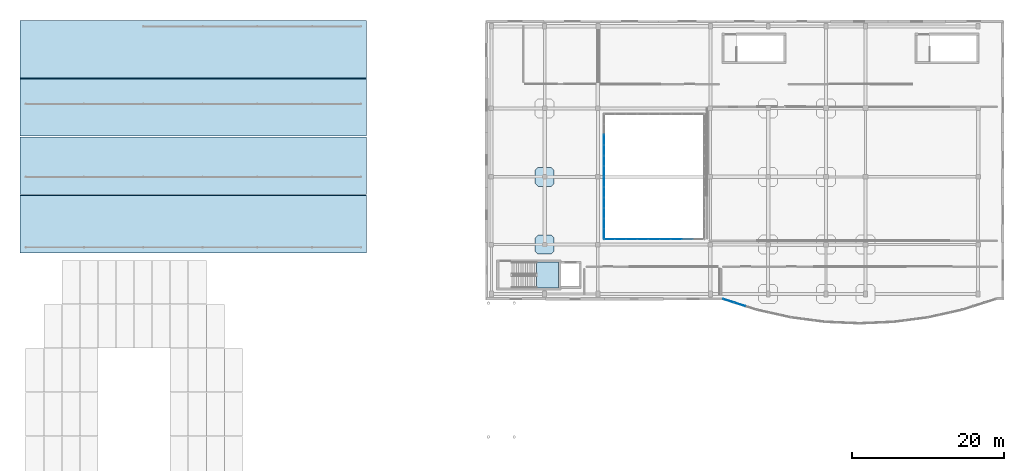
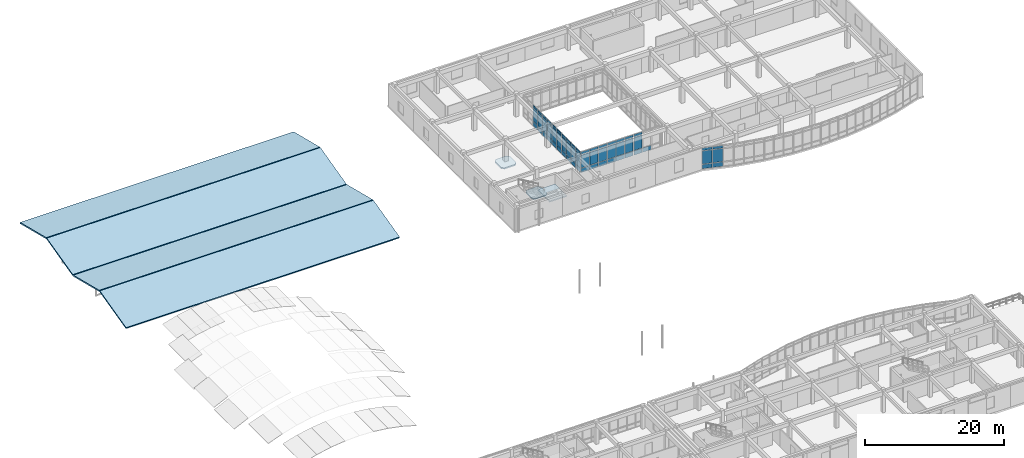
# One storey, part 66 of 91: 58 plates, 7 slabs, 8 elements without a shape of their own.
"""IFC4 building model written with IfcOpenShell, lengths in metres."""

from ifc_helpers import new_model, si_unit, direction, frame, origin, origin_2d, place, context, subcontext, project, spatial, polyline, rectangle, outline, extrude, material, layer, layer_set, type_object, element, aggregate, save


model = new_model("IFC4")

# Units and contexts
model_context = context("Model", 3, precision=1e-05, world=origin(), true_north=direction((0.0, 1.0)))
body_context = subcontext(model_context, "Body", "Model", "MODEL_VIEW")
ifc_project = project(units=[si_unit("LENGTHUNIT", "METRE"), si_unit("AREAUNIT", "SQUARE_METRE"), si_unit("VOLUMEUNIT", "CUBIC_METRE"), si_unit("PLANEANGLEUNIT", "RADIAN"), si_unit("MASSUNIT", "GRAM", prefix="KILO")], contexts=[model_context])

# Site, building, storey
site_placement = place(None, origin())
site = spatial("IfcSite", under=ifc_project, at=site_placement, CompositionType="ELEMENT")
building_placement = place(site_placement, origin())
building = spatial("IfcBuilding", under=site, at=building_placement, Name="Valcora Specialist Clinic", CompositionType="ELEMENT")
storey_placement = place(building_placement, frame((0.0, 0.0, 13.60009765625)))
storey = spatial("IfcBuildingStorey", under=building, at=storey_placement, Name="L03", CompositionType="ELEMENT", Elevation=13.60009765625)

# Curtain wall, plates
ifc_material_1 = material(Name="Anodized Bronze Aluminium 6063-T6", Category="aluminium")
ifc_layer_1 = layer(ifc_material_1, 0.175048828125)
ifc_layer_set_1 = layer_set([ifc_layer_1], Name="Anodized Bronze Aluminium 6063-T6")
curtain_wall_type_1 = type_object("IfcCurtainWallType", Name="TY-CW-ARC40", PredefinedType="NOTDEFINED", material=ifc_layer_set_1)
curtain_wall_1_placement = place(storey_placement, origin())
curtain_wall_1 = element("IfcCurtainWall", 1, at=curtain_wall_1_placement, inside=storey, type_object=curtain_wall_type_1, Name="Curtain wall CW-L03-124", PredefinedType="NOTDEFINED")
ifc_material_2 = material(Name="Low-E Laminated Insulating Glass", Category="glass")
ifc_layer_2 = layer(ifc_material_2, 0.028076171875)
ifc_layer_set_2 = layer_set([ifc_layer_2], Name="Low-E Laminated Insulating Glass")
plate_type_1 = type_object("IfcPlateType", Name="TY-CWP-GLZ28", PredefinedType="CURTAIN_PANEL", material=ifc_layer_set_2)
plate_1_placement = place(storey_placement, frame((94.68115234375, 73.431396484375, 0.88232421875), z_axis=(0.0, 0.0, 1.0), x_axis=(-0.952916356972, 0.303233270958, 0.0)))
plate_1 = element("IfcPlate", 2, at=plate_1_placement, type_object=plate_type_1, Name="CW-ARC-40 panel 2.2", PredefinedType="CURTAIN_PANEL", context=body_context, shape_type="SweptSolid", body=[
    extrude(rectangle(XDim=1.5146484375, YDim=0.028076171875, at=origin_2d()), origin(), (0.0, 0.0, 1.0), 2.31005859375),
])
plate_2_placement = place(storey_placement, frame((94.68115234375, 73.431396484375, 3.25732421875), z_axis=(0.0, 0.0, 1.0), x_axis=(-0.952916356972, 0.303233270958, 0.0)))
plate_2 = element("IfcPlate", 3, at=plate_2_placement, type_object=plate_type_1, Name="CW-ARC-40 panel 2.3", PredefinedType="CURTAIN_PANEL", context=body_context, shape_type="SweptSolid", body=[
    extrude(rectangle(XDim=1.5146484375, YDim=0.028076171875, at=origin_2d()), origin(), (0.0, 0.0, 1.0), 0.452392578125),
])
plate_3_placement = place(storey_placement, frame((93.19140625, 73.905517578125, 0.88232421875), z_axis=(0.0, 0.0, 1.0), x_axis=(-0.952916356972, 0.303233270958, 0.0)))
plate_3 = element("IfcPlate", 4, at=plate_3_placement, type_object=plate_type_1, Name="CW-ARC-40 panel 3.2", PredefinedType="CURTAIN_PANEL", context=body_context, shape_type="SweptSolid", body=[
    extrude(rectangle(XDim=1.482177734375, YDim=0.028076171875, at=origin_2d()), origin(), (0.0, 0.0, 1.0), 2.31005859375),
])
plate_4_placement = place(storey_placement, frame((93.19140625, 73.905517578125, 3.25732421875), z_axis=(0.0, 0.0, 1.0), x_axis=(-0.952916356972, 0.303233270958, 0.0)))
plate_4 = element("IfcPlate", 5, at=plate_4_placement, type_object=plate_type_1, Name="CW-ARC-40 panel 3.3", PredefinedType="CURTAIN_PANEL", context=body_context, shape_type="SweptSolid", body=[
    extrude(rectangle(XDim=1.482177734375, YDim=0.028076171875, at=origin_2d()), origin(), (0.0, 0.0, 1.0), 0.452392578125),
])

ifc_layer_3 = layer(ifc_material_1, 0.175048828125)
ifc_layer_set_3 = layer_set([ifc_layer_3], Name="Anodized Bronze Aluminium 6063-T6")
curtain_wall_type_2 = type_object("IfcCurtainWallType", Name="TY-CW-CRT15", PredefinedType="NOTDEFINED", material=ifc_layer_set_3)
curtain_wall_2_placement = place(storey_placement, origin())
curtain_wall_2 = element("IfcCurtainWall", 6, at=curtain_wall_2_placement, inside=storey, type_object=curtain_wall_type_2, Name="Curtain wall CW-L03-126", PredefinedType="NOTDEFINED")
plate_5_placement = place(storey_placement, frame((81.949462890625, 82.0, 0.88232421875), z_axis=(0.0, 0.0, 1.0), x_axis=(1.0, 0.0, 0.0)))
plate_5 = element("IfcPlate", 7, at=plate_5_placement, type_object=plate_type_1, Name="CW-CRT-15 panel 1.2", PredefinedType="CURTAIN_PANEL", context=body_context, shape_type="SweptSolid", body=[
    extrude(rectangle(XDim=1.369140625, YDim=0.028076171875, at=origin_2d()), origin(), (0.0, 0.0, 1.0), 2.31005859375),
])
plate_6_placement = place(storey_placement, frame((81.949462890625, 82.0, 3.25732421875), z_axis=(0.0, 0.0, 1.0), x_axis=(1.0, 0.0, 0.0)))
plate_6 = element("IfcPlate", 8, at=plate_6_placement, type_object=plate_type_1, Name="CW-CRT-15 panel 1.3", PredefinedType="CURTAIN_PANEL", context=body_context, shape_type="SweptSolid", body=[
    extrude(rectangle(XDim=1.369140625, YDim=0.028076171875, at=origin_2d()), origin(), (0.0, 0.0, 1.0), 0.452392578125),
])
plate_7_placement = place(storey_placement, frame((83.39990234375, 82.0, 0.88232421875), z_axis=(0.0, 0.0, 1.0), x_axis=(1.0, 0.0, 0.0)))
plate_7 = element("IfcPlate", 9, at=plate_7_placement, type_object=plate_type_1, Name="CW-CRT-15 panel 2.2", PredefinedType="CURTAIN_PANEL", context=body_context, shape_type="SweptSolid", body=[
    extrude(rectangle(XDim=1.401611328125, YDim=0.028076171875, at=origin_2d()), origin(), (0.0, 0.0, 1.0), 2.31005859375),
])
plate_8_placement = place(storey_placement, frame((83.39990234375, 82.0, 3.25732421875), z_axis=(0.0, 0.0, 1.0), x_axis=(1.0, 0.0, 0.0)))
plate_8 = element("IfcPlate", 10, at=plate_8_placement, type_object=plate_type_1, Name="CW-CRT-15 panel 2.3", PredefinedType="CURTAIN_PANEL", context=body_context, shape_type="SweptSolid", body=[
    extrude(rectangle(XDim=1.401611328125, YDim=0.028076171875, at=origin_2d()), origin(), (0.0, 0.0, 1.0), 0.452392578125),
])
plate_9_placement = place(storey_placement, frame((84.850341796875, 82.0, 0.88232421875), z_axis=(0.0, 0.0, 1.0), x_axis=(1.0, 0.0, 0.0)))
plate_9 = element("IfcPlate", 11, at=plate_9_placement, type_object=plate_type_1, Name="CW-CRT-15 panel 3.2", PredefinedType="CURTAIN_PANEL", context=body_context, shape_type="SweptSolid", body=[
    extrude(rectangle(XDim=1.369140625, YDim=0.028076171875, at=origin_2d()), origin(), (0.0, 0.0, 1.0), 2.31005859375),
])
plate_10_placement = place(storey_placement, frame((84.850341796875, 82.0, 3.25732421875), z_axis=(0.0, 0.0, 1.0), x_axis=(1.0, 0.0, 0.0)))
plate_10 = element("IfcPlate", 12, at=plate_10_placement, type_object=plate_type_1, Name="CW-CRT-15 panel 3.3", PredefinedType="CURTAIN_PANEL", context=body_context, shape_type="SweptSolid", body=[
    extrude(rectangle(XDim=1.369140625, YDim=0.028076171875, at=origin_2d()), origin(), (0.0, 0.0, 1.0), 0.452392578125),
])

curtain_wall_3_placement = place(storey_placement, origin())
curtain_wall_3 = element("IfcCurtainWall", 13, at=curtain_wall_3_placement, inside=storey, type_object=curtain_wall_type_2, Name="Curtain wall CW-L03-134", PredefinedType="NOTDEFINED")
plate_11_placement = place(storey_placement, frame((76.800048828125, 95.0625, 0.88232421875), z_axis=(0.0, 0.0, 1.0), x_axis=(0.0, -1.0, 0.0)))
plate_11 = element("IfcPlate", 14, at=plate_11_placement, type_object=plate_type_1, Name="CW-CRT-15 panel 3.2", PredefinedType="CURTAIN_PANEL", context=body_context, shape_type="SweptSolid", body=[
    extrude(rectangle(XDim=1.31005859375, YDim=0.028076171875, at=origin_2d()), origin(), (0.0, 0.0, 1.0), 2.31005859375),
])
plate_12_placement = place(storey_placement, frame((76.800048828125, 95.0625, 3.25732421875), z_axis=(0.0, 0.0, 1.0), x_axis=(0.0, -1.0, 0.0)))
plate_12 = element("IfcPlate", 15, at=plate_12_placement, type_object=plate_type_1, Name="CW-CRT-15 panel 3.3", PredefinedType="CURTAIN_PANEL", context=body_context, shape_type="SweptSolid", body=[
    extrude(rectangle(XDim=1.31005859375, YDim=0.028076171875, at=origin_2d()), origin(), (0.0, 0.0, 1.0), 0.452392578125),
])
plate_13_placement = place(storey_placement, frame((76.800048828125, 93.703857421875, 0.88232421875), z_axis=(0.0, 0.0, 1.0), x_axis=(0.0, -1.0, 0.0)))
plate_13 = element("IfcPlate", 16, at=plate_13_placement, type_object=plate_type_1, Name="CW-CRT-15 panel 4.2", PredefinedType="CURTAIN_PANEL", context=body_context, shape_type="SweptSolid", body=[
    extrude(rectangle(XDim=1.277587890625, YDim=0.028076171875, at=origin_2d()), origin(), (0.0, 0.0, 1.0), 2.31005859375),
])
plate_14_placement = place(storey_placement, frame((76.800048828125, 93.703857421875, 3.25732421875), z_axis=(0.0, 0.0, 1.0), x_axis=(0.0, -1.0, 0.0)))
plate_14 = element("IfcPlate", 17, at=plate_14_placement, type_object=plate_type_1, Name="CW-CRT-15 panel 4.3", PredefinedType="CURTAIN_PANEL", context=body_context, shape_type="SweptSolid", body=[
    extrude(rectangle(XDim=1.277587890625, YDim=0.028076171875, at=origin_2d()), origin(), (0.0, 0.0, 1.0), 0.452392578125),
])

curtain_wall_4_placement = place(storey_placement, origin())
curtain_wall_4 = element("IfcCurtainWall", 18, at=curtain_wall_4_placement, inside=storey, type_object=curtain_wall_type_2, Name="Curtain wall CW-L03-136", PredefinedType="NOTDEFINED")
plate_15_placement = place(storey_placement, frame((76.800048828125, 86.796142578125, 0.88232421875), z_axis=(0.0, 0.0, 1.0), x_axis=(0.0, -1.0, 0.0)))
plate_15 = element("IfcPlate", 19, at=plate_15_placement, type_object=plate_type_1, Name="CW-CRT-15 panel 1.2", PredefinedType="CURTAIN_PANEL", context=body_context, shape_type="SweptSolid", body=[
    extrude(rectangle(XDim=1.277587890625, YDim=0.028076171875, at=origin_2d()), origin(), (0.0, 0.0, 1.0), 2.31005859375),
])
plate_16_placement = place(storey_placement, frame((76.800048828125, 86.796142578125, 3.25732421875), z_axis=(0.0, 0.0, 1.0), x_axis=(0.0, -1.0, 0.0)))
plate_16 = element("IfcPlate", 20, at=plate_16_placement, type_object=plate_type_1, Name="CW-CRT-15 panel 1.3", PredefinedType="CURTAIN_PANEL", context=body_context, shape_type="SweptSolid", body=[
    extrude(rectangle(XDim=1.277587890625, YDim=0.028076171875, at=origin_2d()), origin(), (0.0, 0.0, 1.0), 0.452392578125),
])
plate_17_placement = place(storey_placement, frame((76.800048828125, 85.4375, 0.88232421875), z_axis=(0.0, 0.0, 1.0), x_axis=(0.0, -1.0, 0.0)))
plate_17 = element("IfcPlate", 21, at=plate_17_placement, type_object=plate_type_1, Name="CW-CRT-15 panel 2.2", PredefinedType="CURTAIN_PANEL", context=body_context, shape_type="SweptSolid", body=[
    extrude(rectangle(XDim=1.31005859375, YDim=0.028076171875, at=origin_2d()), origin(), (0.0, 0.0, 1.0), 2.31005859375),
])
plate_18_placement = place(storey_placement, frame((76.800048828125, 85.4375, 3.25732421875), z_axis=(0.0, 0.0, 1.0), x_axis=(0.0, -1.0, 0.0)))
plate_18 = element("IfcPlate", 22, at=plate_18_placement, type_object=plate_type_1, Name="CW-CRT-15 panel 2.3", PredefinedType="CURTAIN_PANEL", context=body_context, shape_type="SweptSolid", body=[
    extrude(rectangle(XDim=1.31005859375, YDim=0.028076171875, at=origin_2d()), origin(), (0.0, 0.0, 1.0), 0.452392578125),
])
plate_19_placement = place(storey_placement, frame((76.800048828125, 84.0625, 0.88232421875), z_axis=(0.0, 0.0, 1.0), x_axis=(0.0, -1.0, 0.0)))
plate_19 = element("IfcPlate", 23, at=plate_19_placement, type_object=plate_type_1, Name="CW-CRT-15 panel 3.2", PredefinedType="CURTAIN_PANEL", context=body_context, shape_type="SweptSolid", body=[
    extrude(rectangle(XDim=1.31005859375, YDim=0.028076171875, at=origin_2d()), origin(), (0.0, 0.0, 1.0), 2.31005859375),
])
plate_20_placement = place(storey_placement, frame((76.800048828125, 84.0625, 3.25732421875), z_axis=(0.0, 0.0, 1.0), x_axis=(0.0, -1.0, 0.0)))
plate_20 = element("IfcPlate", 24, at=plate_20_placement, type_object=plate_type_1, Name="CW-CRT-15 panel 3.3", PredefinedType="CURTAIN_PANEL", context=body_context, shape_type="SweptSolid", body=[
    extrude(rectangle(XDim=1.31005859375, YDim=0.028076171875, at=origin_2d()), origin(), (0.0, 0.0, 1.0), 0.452392578125),
])
plate_21_placement = place(storey_placement, frame((76.800048828125, 82.703857421875, 0.88232421875), z_axis=(0.0, 0.0, 1.0), x_axis=(0.0, -1.0, 0.0)))
plate_21 = element("IfcPlate", 25, at=plate_21_placement, type_object=plate_type_1, Name="CW-CRT-15 panel 4.2", PredefinedType="CURTAIN_PANEL", context=body_context, shape_type="SweptSolid", body=[
    extrude(rectangle(XDim=1.277587890625, YDim=0.028076171875, at=origin_2d()), origin(), (0.0, 0.0, 1.0), 2.31005859375),
])
plate_22_placement = place(storey_placement, frame((76.800048828125, 82.703857421875, 3.25732421875), z_axis=(0.0, 0.0, 1.0), x_axis=(0.0, -1.0, 0.0)))
plate_22 = element("IfcPlate", 26, at=plate_22_placement, type_object=plate_type_1, Name="CW-CRT-15 panel 4.3", PredefinedType="CURTAIN_PANEL", context=body_context, shape_type="SweptSolid", body=[
    extrude(rectangle(XDim=1.277587890625, YDim=0.028076171875, at=origin_2d()), origin(), (0.0, 0.0, 1.0), 0.452392578125),
])

curtain_wall_5_placement = place(storey_placement, origin())
curtain_wall_5 = element("IfcCurtainWall", 27, at=curtain_wall_5_placement, inside=storey, type_object=curtain_wall_type_2, Name="Curtain wall CW-L03-125", PredefinedType="NOTDEFINED")
ifc_layer_4 = layer(ifc_material_2, 0.033935546875)
ifc_layer_set_4 = layer_set([ifc_layer_4], Name="Low-E Laminated Insulating Glass")
plate_type_2 = type_object("IfcPlateType", Name="TY-CWP-GLZ34", PredefinedType="CURTAIN_PANEL", material=ifc_layer_set_4)
plate_23_placement = place(storey_placement, frame((77.549560546875, 82.0, 0.88232421875), z_axis=(0.0, 0.0, 1.0), x_axis=(1.0, 0.0, 0.0)))
plate_23 = element("IfcPlate", 28, at=plate_23_placement, type_object=plate_type_2, Name="CW-CRT-15 panel 1.2", PredefinedType="CURTAIN_PANEL", context=body_context, shape_type="SweptSolid", body=[
    extrude(rectangle(XDim=1.369140625, YDim=0.033935546875, at=origin_2d()), origin(), (0.0, 0.0, 1.0), 2.31005859375),
])
plate_24_placement = place(storey_placement, frame((77.549560546875, 82.0, 3.25732421875), z_axis=(0.0, 0.0, 1.0), x_axis=(1.0, 0.0, 0.0)))
plate_24 = element("IfcPlate", 29, at=plate_24_placement, type_object=plate_type_2, Name="CW-CRT-15 panel 1.3", PredefinedType="CURTAIN_PANEL", context=body_context, shape_type="SweptSolid", body=[
    extrude(rectangle(XDim=1.369140625, YDim=0.033935546875, at=origin_2d()), origin(), (0.0, 0.0, 1.0), 0.452392578125),
])
plate_25_placement = place(storey_placement, frame((79.0, 82.0, 0.88232421875), z_axis=(0.0, 0.0, 1.0), x_axis=(1.0, 0.0, 0.0)))
plate_25 = element("IfcPlate", 30, at=plate_25_placement, type_object=plate_type_2, Name="CW-CRT-15 panel 2.2", PredefinedType="CURTAIN_PANEL", context=body_context, shape_type="SweptSolid", body=[
    extrude(rectangle(XDim=1.401611328125, YDim=0.033935546875, at=origin_2d()), origin(), (0.0, 0.0, 1.0), 2.31005859375),
])
plate_26_placement = place(storey_placement, frame((79.0, 82.0, 3.25732421875), z_axis=(0.0, 0.0, 1.0), x_axis=(1.0, 0.0, 0.0)))
plate_26 = element("IfcPlate", 31, at=plate_26_placement, type_object=plate_type_2, Name="CW-CRT-15 panel 2.3", PredefinedType="CURTAIN_PANEL", context=body_context, shape_type="SweptSolid", body=[
    extrude(rectangle(XDim=1.401611328125, YDim=0.033935546875, at=origin_2d()), origin(), (0.0, 0.0, 1.0), 0.452392578125),
])
plate_27_placement = place(storey_placement, frame((80.450439453125, 82.0, 0.88232421875), z_axis=(0.0, 0.0, 1.0), x_axis=(1.0, 0.0, 0.0)))
plate_27 = element("IfcPlate", 32, at=plate_27_placement, type_object=plate_type_2, Name="CW-CRT-15 panel 3.2", PredefinedType="CURTAIN_PANEL", context=body_context, shape_type="SweptSolid", body=[
    extrude(rectangle(XDim=1.369140625, YDim=0.033935546875, at=origin_2d()), origin(), (0.0, 0.0, 1.0), 2.31005859375),
])
plate_28_placement = place(storey_placement, frame((80.450439453125, 82.0, 3.25732421875), z_axis=(0.0, 0.0, 1.0), x_axis=(1.0, 0.0, 0.0)))
plate_28 = element("IfcPlate", 33, at=plate_28_placement, type_object=plate_type_2, Name="CW-CRT-15 panel 3.3", PredefinedType="CURTAIN_PANEL", context=body_context, shape_type="SweptSolid", body=[
    extrude(rectangle(XDim=1.369140625, YDim=0.033935546875, at=origin_2d()), origin(), (0.0, 0.0, 1.0), 0.452392578125),
])

curtain_wall_6_placement = place(storey_placement, origin())
curtain_wall_6 = element("IfcCurtainWall", 34, at=curtain_wall_6_placement, inside=storey, type_object=curtain_wall_type_2, Name="Curtain wall CW-L03-127", PredefinedType="NOTDEFINED")
plate_29_placement = place(storey_placement, frame((86.349609375, 82.0, 0.88232421875), z_axis=(0.0, 0.0, 1.0), x_axis=(1.0, 0.0, 0.0)))
plate_29 = element("IfcPlate", 35, at=plate_29_placement, type_object=plate_type_2, Name="CW-CRT-15 panel 1.2", PredefinedType="CURTAIN_PANEL", context=body_context, shape_type="SweptSolid", body=[
    extrude(rectangle(XDim=1.369140625, YDim=0.033935546875, at=origin_2d()), origin(), (0.0, 0.0, 1.0), 2.31005859375),
])
plate_30_placement = place(storey_placement, frame((86.349609375, 82.0, 3.25732421875), z_axis=(0.0, 0.0, 1.0), x_axis=(1.0, 0.0, 0.0)))
plate_30 = element("IfcPlate", 36, at=plate_30_placement, type_object=plate_type_2, Name="CW-CRT-15 panel 1.3", PredefinedType="CURTAIN_PANEL", context=body_context, shape_type="SweptSolid", body=[
    extrude(rectangle(XDim=1.369140625, YDim=0.033935546875, at=origin_2d()), origin(), (0.0, 0.0, 1.0), 0.452392578125),
])

curtain_wall_7_placement = place(storey_placement, origin())
curtain_wall_7 = element("IfcCurtainWall", 37, at=curtain_wall_7_placement, inside=storey, type_object=curtain_wall_type_2, Name="Curtain wall CW-L03-135", PredefinedType="NOTDEFINED")
plate_31_placement = place(storey_placement, frame((76.800048828125, 92.296142578125, 0.88232421875), z_axis=(0.0, 0.0, 1.0), x_axis=(0.0, -1.0, 0.0)))
plate_31 = element("IfcPlate", 38, at=plate_31_placement, type_object=plate_type_2, Name="CW-CRT-15 panel 1.2", PredefinedType="CURTAIN_PANEL", context=body_context, shape_type="SweptSolid", body=[
    extrude(rectangle(XDim=1.277587890625, YDim=0.033935546875, at=origin_2d()), origin(), (0.0, 0.0, 1.0), 2.31005859375),
])
plate_32_placement = place(storey_placement, frame((76.800048828125, 92.296142578125, 3.25732421875), z_axis=(0.0, 0.0, 1.0), x_axis=(0.0, -1.0, 0.0)))
plate_32 = element("IfcPlate", 39, at=plate_32_placement, type_object=plate_type_2, Name="CW-CRT-15 panel 1.3", PredefinedType="CURTAIN_PANEL", context=body_context, shape_type="SweptSolid", body=[
    extrude(rectangle(XDim=1.277587890625, YDim=0.033935546875, at=origin_2d()), origin(), (0.0, 0.0, 1.0), 0.452392578125),
])
plate_33_placement = place(storey_placement, frame((76.800048828125, 90.9375, 0.88232421875), z_axis=(0.0, 0.0, 1.0), x_axis=(0.0, -1.0, 0.0)))
plate_33 = element("IfcPlate", 40, at=plate_33_placement, type_object=plate_type_2, Name="CW-CRT-15 panel 2.2", PredefinedType="CURTAIN_PANEL", context=body_context, shape_type="SweptSolid", body=[
    extrude(rectangle(XDim=1.31005859375, YDim=0.033935546875, at=origin_2d()), origin(), (0.0, 0.0, 1.0), 2.31005859375),
])
plate_34_placement = place(storey_placement, frame((76.800048828125, 90.9375, 3.25732421875), z_axis=(0.0, 0.0, 1.0), x_axis=(0.0, -1.0, 0.0)))
plate_34 = element("IfcPlate", 41, at=plate_34_placement, type_object=plate_type_2, Name="CW-CRT-15 panel 2.3", PredefinedType="CURTAIN_PANEL", context=body_context, shape_type="SweptSolid", body=[
    extrude(rectangle(XDim=1.31005859375, YDim=0.033935546875, at=origin_2d()), origin(), (0.0, 0.0, 1.0), 0.452392578125),
])
plate_35_placement = place(storey_placement, frame((76.800048828125, 89.5625, 0.88232421875), z_axis=(0.0, 0.0, 1.0), x_axis=(0.0, -1.0, 0.0)))
plate_35 = element("IfcPlate", 42, at=plate_35_placement, type_object=plate_type_2, Name="CW-CRT-15 panel 3.2", PredefinedType="CURTAIN_PANEL", context=body_context, shape_type="SweptSolid", body=[
    extrude(rectangle(XDim=1.31005859375, YDim=0.033935546875, at=origin_2d()), origin(), (0.0, 0.0, 1.0), 2.31005859375),
])
plate_36_placement = place(storey_placement, frame((76.800048828125, 89.5625, 3.25732421875), z_axis=(0.0, 0.0, 1.0), x_axis=(0.0, -1.0, 0.0)))
plate_36 = element("IfcPlate", 43, at=plate_36_placement, type_object=plate_type_2, Name="CW-CRT-15 panel 3.3", PredefinedType="CURTAIN_PANEL", context=body_context, shape_type="SweptSolid", body=[
    extrude(rectangle(XDim=1.31005859375, YDim=0.033935546875, at=origin_2d()), origin(), (0.0, 0.0, 1.0), 0.452392578125),
])
plate_37_placement = place(storey_placement, frame((76.800048828125, 88.203857421875, 0.88232421875), z_axis=(0.0, 0.0, 1.0), x_axis=(0.0, -1.0, 0.0)))
plate_37 = element("IfcPlate", 44, at=plate_37_placement, type_object=plate_type_2, Name="CW-CRT-15 panel 4.2", PredefinedType="CURTAIN_PANEL", context=body_context, shape_type="SweptSolid", body=[
    extrude(rectangle(XDim=1.277587890625, YDim=0.033935546875, at=origin_2d()), origin(), (0.0, 0.0, 1.0), 2.31005859375),
])
plate_38_placement = place(storey_placement, frame((76.800048828125, 88.203857421875, 3.25732421875), z_axis=(0.0, 0.0, 1.0), x_axis=(0.0, -1.0, 0.0)))
plate_38 = element("IfcPlate", 45, at=plate_38_placement, type_object=plate_type_2, Name="CW-CRT-15 panel 4.3", PredefinedType="CURTAIN_PANEL", context=body_context, shape_type="SweptSolid", body=[
    extrude(rectangle(XDim=1.277587890625, YDim=0.033935546875, at=origin_2d()), origin(), (0.0, 0.0, 1.0), 0.452392578125),
])

# Plate
ifc_material_3 = material(Name="Insulated Spandrel Panel")
ifc_layer_5 = layer(ifc_material_3, 0.044921875)
ifc_layer_set_5 = layer_set([ifc_layer_5], Name="Insulated Spandrel Panel")
plate_type_3 = type_object("IfcPlateType", Name="TY-CWP-SPN45", PredefinedType="SHEET", material=ifc_layer_set_5)
plate_39_placement = place(storey_placement, frame((94.68115234375, 73.431396484375, 0.06494140625), z_axis=(0.0, 0.0, 1.0), x_axis=(-0.952916356972, 0.303233270958, 0.0)))
plate_39 = element("IfcPlate", 46, at=plate_39_placement, type_object=plate_type_3, Name="CW-ARC-40 panel 2.1", PredefinedType="SHEET", context=body_context, shape_type="SweptSolid", body=[
    extrude(rectangle(XDim=1.5146484375, YDim=0.044921875, at=origin_2d()), origin(), (0.0, 0.0, 1.0), 0.75244140625),
])

plate_40_placement = place(storey_placement, frame((93.19140625, 73.905517578125, 0.06494140625), z_axis=(0.0, 0.0, 1.0), x_axis=(-0.952916356972, 0.303233270958, 0.0)))
plate_40 = element("IfcPlate", 47, at=plate_40_placement, type_object=plate_type_3, Name="CW-ARC-40 panel 3.1", PredefinedType="SHEET", context=body_context, shape_type="SweptSolid", body=[
    extrude(rectangle(XDim=1.482177734375, YDim=0.044921875, at=origin_2d()), origin(), (0.0, 0.0, 1.0), 0.75244140625),
])

aggregate(curtain_wall_1, [plate_39, plate_1, plate_2, plate_40, plate_3, plate_4])

plate_41_placement = place(storey_placement, frame((77.549560546875, 82.0, 0.06494140625), z_axis=(0.0, 0.0, 1.0), x_axis=(1.0, 0.0, 0.0)))
plate_41 = element("IfcPlate", 48, at=plate_41_placement, type_object=plate_type_3, Name="CW-CRT-15 panel 1.1", PredefinedType="SHEET", context=body_context, shape_type="SweptSolid", body=[
    extrude(rectangle(XDim=1.369140625, YDim=0.044921875, at=origin_2d()), origin(), (0.0, 0.0, 1.0), 0.75244140625),
])

plate_42_placement = place(storey_placement, frame((79.0, 82.0, 0.06494140625), z_axis=(0.0, 0.0, 1.0), x_axis=(1.0, 0.0, 0.0)))
plate_42 = element("IfcPlate", 49, at=plate_42_placement, type_object=plate_type_3, Name="CW-CRT-15 panel 2.1", PredefinedType="SHEET", context=body_context, shape_type="SweptSolid", body=[
    extrude(rectangle(XDim=1.401611328125, YDim=0.044921875, at=origin_2d()), origin(), (0.0, 0.0, 1.0), 0.75244140625),
])

plate_43_placement = place(storey_placement, frame((80.450439453125, 82.0, 0.06494140625), z_axis=(0.0, 0.0, 1.0), x_axis=(1.0, 0.0, 0.0)))
plate_43 = element("IfcPlate", 50, at=plate_43_placement, type_object=plate_type_3, Name="CW-CRT-15 panel 3.1", PredefinedType="SHEET", context=body_context, shape_type="SweptSolid", body=[
    extrude(rectangle(XDim=1.369140625, YDim=0.044921875, at=origin_2d()), origin(), (0.0, 0.0, 1.0), 0.75244140625),
])

aggregate(curtain_wall_5, [plate_41, plate_23, plate_24, plate_42, plate_25, plate_26, plate_43, plate_27, plate_28])

plate_44_placement = place(storey_placement, frame((81.949462890625, 82.0, 0.06494140625), z_axis=(0.0, 0.0, 1.0), x_axis=(1.0, 0.0, 0.0)))
plate_44 = element("IfcPlate", 51, at=plate_44_placement, type_object=plate_type_3, Name="CW-CRT-15 panel 1.1", PredefinedType="SHEET", context=body_context, shape_type="SweptSolid", body=[
    extrude(rectangle(XDim=1.369140625, YDim=0.044921875, at=origin_2d()), origin(), (0.0, 0.0, 1.0), 0.75244140625),
])

plate_45_placement = place(storey_placement, frame((83.39990234375, 82.0, 0.06494140625), z_axis=(0.0, 0.0, 1.0), x_axis=(1.0, 0.0, 0.0)))
plate_45 = element("IfcPlate", 52, at=plate_45_placement, type_object=plate_type_3, Name="CW-CRT-15 panel 2.1", PredefinedType="SHEET", context=body_context, shape_type="SweptSolid", body=[
    extrude(rectangle(XDim=1.401611328125, YDim=0.044921875, at=origin_2d()), origin(), (0.0, 0.0, 1.0), 0.75244140625),
])

plate_46_placement = place(storey_placement, frame((84.850341796875, 82.0, 0.06494140625), z_axis=(0.0, 0.0, 1.0), x_axis=(1.0, 0.0, 0.0)))
plate_46 = element("IfcPlate", 53, at=plate_46_placement, type_object=plate_type_3, Name="CW-CRT-15 panel 3.1", PredefinedType="SHEET", context=body_context, shape_type="SweptSolid", body=[
    extrude(rectangle(XDim=1.369140625, YDim=0.044921875, at=origin_2d()), origin(), (0.0, 0.0, 1.0), 0.75244140625),
])

aggregate(curtain_wall_2, [plate_44, plate_5, plate_6, plate_45, plate_7, plate_8, plate_46, plate_9, plate_10])

plate_47_placement = place(storey_placement, frame((86.349609375, 82.0, 0.06494140625), z_axis=(0.0, 0.0, 1.0), x_axis=(1.0, 0.0, 0.0)))
plate_47 = element("IfcPlate", 54, at=plate_47_placement, type_object=plate_type_3, Name="CW-CRT-15 panel 1.1", PredefinedType="SHEET", context=body_context, shape_type="SweptSolid", body=[
    extrude(rectangle(XDim=1.369140625, YDim=0.044921875, at=origin_2d()), origin(), (0.0, 0.0, 1.0), 0.75244140625),
])

plate_48_placement = place(storey_placement, frame((87.800048828125, 82.0, 0.06494140625), z_axis=(0.0, 0.0, 1.0), x_axis=(1.0, 0.0, 0.0)))
plate_48 = element("IfcPlate", 55, at=plate_48_placement, type_object=plate_type_3, Name="CW-CRT-15 panel 2.1", PredefinedType="SHEET", context=body_context, shape_type="SweptSolid", body=[
    extrude(rectangle(XDim=1.401611328125, YDim=0.044921875, at=origin_2d()), origin(), (0.0, 0.0, 1.0), 0.75244140625),
])

aggregate(curtain_wall_6, [plate_47, plate_29, plate_30, plate_48])

plate_49_placement = place(storey_placement, frame((76.800048828125, 95.0625, 0.06494140625), z_axis=(0.0, 0.0, 1.0), x_axis=(0.0, -1.0, 0.0)))
plate_49 = element("IfcPlate", 56, at=plate_49_placement, type_object=plate_type_3, Name="CW-CRT-15 panel 3.1", PredefinedType="SHEET", context=body_context, shape_type="SweptSolid", body=[
    extrude(rectangle(XDim=1.31005859375, YDim=0.044921875, at=origin_2d()), origin(), (0.0, 0.0, 1.0), 0.75244140625),
])

plate_50_placement = place(storey_placement, frame((76.800048828125, 93.703857421875, 0.06494140625), z_axis=(0.0, 0.0, 1.0), x_axis=(0.0, -1.0, 0.0)))
plate_50 = element("IfcPlate", 57, at=plate_50_placement, type_object=plate_type_3, Name="CW-CRT-15 panel 4.1", PredefinedType="SHEET", context=body_context, shape_type="SweptSolid", body=[
    extrude(rectangle(XDim=1.277587890625, YDim=0.044921875, at=origin_2d()), origin(), (0.0, 0.0, 1.0), 0.75244140625),
])

aggregate(curtain_wall_3, [plate_49, plate_11, plate_12, plate_50, plate_13, plate_14])

plate_51_placement = place(storey_placement, frame((76.800048828125, 92.296142578125, 0.06494140625), z_axis=(0.0, 0.0, 1.0), x_axis=(0.0, -1.0, 0.0)))
plate_51 = element("IfcPlate", 58, at=plate_51_placement, type_object=plate_type_3, Name="CW-CRT-15 panel 1.1", PredefinedType="SHEET", context=body_context, shape_type="SweptSolid", body=[
    extrude(rectangle(XDim=1.277587890625, YDim=0.044921875, at=origin_2d()), origin(), (0.0, 0.0, 1.0), 0.75244140625),
])

plate_52_placement = place(storey_placement, frame((76.800048828125, 90.9375, 0.06494140625), z_axis=(0.0, 0.0, 1.0), x_axis=(0.0, -1.0, 0.0)))
plate_52 = element("IfcPlate", 59, at=plate_52_placement, type_object=plate_type_3, Name="CW-CRT-15 panel 2.1", PredefinedType="SHEET", context=body_context, shape_type="SweptSolid", body=[
    extrude(rectangle(XDim=1.31005859375, YDim=0.044921875, at=origin_2d()), origin(), (0.0, 0.0, 1.0), 0.75244140625),
])

plate_53_placement = place(storey_placement, frame((76.800048828125, 89.5625, 0.06494140625), z_axis=(0.0, 0.0, 1.0), x_axis=(0.0, -1.0, 0.0)))
plate_53 = element("IfcPlate", 60, at=plate_53_placement, type_object=plate_type_3, Name="CW-CRT-15 panel 3.1", PredefinedType="SHEET", context=body_context, shape_type="SweptSolid", body=[
    extrude(rectangle(XDim=1.31005859375, YDim=0.044921875, at=origin_2d()), origin(), (0.0, 0.0, 1.0), 0.75244140625),
])

plate_54_placement = place(storey_placement, frame((76.800048828125, 88.203857421875, 0.06494140625), z_axis=(0.0, 0.0, 1.0), x_axis=(0.0, -1.0, 0.0)))
plate_54 = element("IfcPlate", 61, at=plate_54_placement, type_object=plate_type_3, Name="CW-CRT-15 panel 4.1", PredefinedType="SHEET", context=body_context, shape_type="SweptSolid", body=[
    extrude(rectangle(XDim=1.277587890625, YDim=0.044921875, at=origin_2d()), origin(), (0.0, 0.0, 1.0), 0.75244140625),
])

aggregate(curtain_wall_7, [plate_51, plate_31, plate_32, plate_52, plate_33, plate_34, plate_53, plate_35, plate_36, plate_54, plate_37, plate_38])

plate_55_placement = place(storey_placement, frame((76.800048828125, 86.796142578125, 0.06494140625), z_axis=(0.0, 0.0, 1.0), x_axis=(0.0, -1.0, 0.0)))
plate_55 = element("IfcPlate", 62, at=plate_55_placement, type_object=plate_type_3, Name="CW-CRT-15 panel 1.1", PredefinedType="SHEET", context=body_context, shape_type="SweptSolid", body=[
    extrude(rectangle(XDim=1.277587890625, YDim=0.044921875, at=origin_2d()), origin(), (0.0, 0.0, 1.0), 0.75244140625),
])

plate_56_placement = place(storey_placement, frame((76.800048828125, 85.4375, 0.06494140625), z_axis=(0.0, 0.0, 1.0), x_axis=(0.0, -1.0, 0.0)))
plate_56 = element("IfcPlate", 63, at=plate_56_placement, type_object=plate_type_3, Name="CW-CRT-15 panel 2.1", PredefinedType="SHEET", context=body_context, shape_type="SweptSolid", body=[
    extrude(rectangle(XDim=1.31005859375, YDim=0.044921875, at=origin_2d()), origin(), (0.0, 0.0, 1.0), 0.75244140625),
])

plate_57_placement = place(storey_placement, frame((76.800048828125, 84.0625, 0.06494140625), z_axis=(0.0, 0.0, 1.0), x_axis=(0.0, -1.0, 0.0)))
plate_57 = element("IfcPlate", 64, at=plate_57_placement, type_object=plate_type_3, Name="CW-CRT-15 panel 3.1", PredefinedType="SHEET", context=body_context, shape_type="SweptSolid", body=[
    extrude(rectangle(XDim=1.31005859375, YDim=0.044921875, at=origin_2d()), origin(), (0.0, 0.0, 1.0), 0.75244140625),
])

plate_58_placement = place(storey_placement, frame((76.800048828125, 82.703857421875, 0.06494140625), z_axis=(0.0, 0.0, 1.0), x_axis=(0.0, -1.0, 0.0)))
plate_58 = element("IfcPlate", 65, at=plate_58_placement, type_object=plate_type_3, Name="CW-CRT-15 panel 4.1", PredefinedType="SHEET", context=body_context, shape_type="SweptSolid", body=[
    extrude(rectangle(XDim=1.277587890625, YDim=0.044921875, at=origin_2d()), origin(), (0.0, 0.0, 1.0), 0.75244140625),
])

aggregate(curtain_wall_4, [plate_55, plate_15, plate_16, plate_56, plate_17, plate_18, plate_57, plate_19, plate_20, plate_58, plate_21, plate_22])

# Slabs
ifc_material_4 = material(Name="Concrete C40/50", Category="concrete")
ifc_layer_6 = layer(ifc_material_4, 0.18994140625)
ifc_layer_set_6 = layer_set([ifc_layer_6], Name="Concrete C40/50")
slab_type_1 = type_object("IfcSlabType", Name="TY-SL-DP190", PredefinedType="FLOOR", material=ifc_layer_set_6)
slab_1_placement = place(storey_placement, frame((0.0, 0.0, -0.4501953125)))
element("IfcSlab", 66, at=slab_1_placement, inside=storey, type_object=slab_type_1, Name="V4 column drop panel SL-L03-060", PredefinedType="FLOOR", context=body_context, shape_type="SweptSolid", body=[
    extrude(outline(polyline([(68.1201171875, 80.050048828125), (69.8798828125, 80.050048828125), (70.25, 80.419921875), (70.25, 82.179931640625), (69.8798828125, 82.550048828125), (68.1201171875, 82.550048828125), (67.75, 82.179931640625), (67.75, 80.419921875), (68.1201171875, 80.050048828125)])), origin(), (0.0, 0.0, 1.0), 0.190185546875),
])
ifc_layer_7 = layer(ifc_material_4, 0.235107421875)
ifc_layer_set_7 = layer_set([ifc_layer_7], Name="Concrete C40/50")
slab_type_2 = type_object("IfcSlabType", Name="TY-SL-DP235", PredefinedType="FLOOR", material=ifc_layer_set_7)
slab_2_placement = place(storey_placement, frame((0.0, 0.0, -0.4951171875)))
element("IfcSlab", 67, at=slab_2_placement, inside=storey, type_object=slab_type_2, Name="V4 column drop panel SL-L03-061", PredefinedType="FLOOR", context=body_context, shape_type="SweptSolid", body=[
    extrude(outline(polyline([(68.1201171875, 88.949951171875), (69.8798828125, 88.949951171875), (70.25, 89.320068359375), (70.25, 91.080078125), (69.8798828125, 91.449951171875), (68.1201171875, 91.449951171875), (67.75, 91.080078125), (67.75, 89.320068359375), (68.1201171875, 88.949951171875)])), origin(), (0.0, 0.0, 1.0), 0.235107421875),
])

# Stair, slab
stair_type = type_object("IfcStairType", Name="TY-ST-DG408", PredefinedType="HALF_TURN_STAIR", material=ifc_material_4)
stair_placement = place(storey_placement, origin())
stair = element("IfcStair", 68, at=stair_placement, inside=storey, type_object=stair_type, Name="L03 Core C-V4A stair ST-V4A", PredefinedType="HALF_TURN_STAIR")
ifc_layer_8 = layer(ifc_material_4, 0.199951171875)
ifc_layer_set_8 = layer_set([ifc_layer_8], Name="Concrete C40/50")
slab_type_3 = type_object("IfcSlabType", Name="TY-SL-LND200", PredefinedType="LANDING", material=ifc_layer_set_8)
slab_3_placement = place(storey_placement, frame((0.0, 0.0, 1.83984375)))
slab_3 = element("IfcSlab", 69, at=slab_3_placement, type_object=slab_type_3, Name="ST-V4A landing 1", PredefinedType="LANDING", context=body_context, shape_type="SweptSolid", body=[
    extrude(outline(polyline([(67.945068359375, 75.60009765625), (70.800048828125, 75.60009765625), (70.800048828125, 79.0), (67.945068359375, 79.0), (67.945068359375, 75.60009765625)])), origin(), (0.0, 0.0, 1.0), 0.199951171875),
])
aggregate(stair, [slab_3])

# Slabs
ifc_layer_9 = layer(ifc_material_4, 0.22998046875)
ifc_layer_set_9 = layer_set([ifc_layer_9], Name="Concrete C40/50")
slab_type_4 = type_object("IfcSlabType", Name="TY-SL-RF230", PredefinedType="ROOF", material=ifc_layer_set_9)
slab_4_placement = place(storey_placement, frame((0.0, 80.199951171875, 0.760009765625), z_axis=(0.0, -0.241918296831, 0.970296623543), x_axis=(1.0, 0.0, 0.0)))
element("IfcSlab", 70, at=slab_4_placement, inside=storey, type_object=slab_type_4, Name="V2 folded acoustic roof facet 1", PredefinedType="ROOF", context=body_context, shape_type="SweptSolid", body=[
    extrude(outline(polyline([(0.0, 0.0), (45.60009765625, 0.0), (45.60009765625, 7.817156891474101), (0.0, 7.817156891474101), (0.0, 0.0)])), origin(), (0.0, 0.0, -1.0), 0.22998046875),
])
for number, where, z_axis, x_axis, name in (
    (71, (0.0, 87.9150390625, 2.651123046875), (0.0, 0.241927793156, 0.970294255831), (1.0, 0.0, 0.0), "V2 folded acoustic roof facet 2"),
    (72, (0.0, 95.56494140625, 0.776123046875), (0.0, -0.241927793156, 0.970294255831), (1.0, 0.0, 0.0), "V2 folded acoustic roof facet 3"),
):
    element("IfcSlab", number, at=place(storey_placement, frame(where, z_axis=z_axis, x_axis=x_axis)), inside=storey, type_object=slab_type_4, Name=name, PredefinedType="ROOF", context=body_context, shape_type="SweptSolid", body=[
        extrude(outline(polyline([(0.0, 0.0), (45.60009765625, 0.0), (45.60009765625, 7.750246367076435), (0.0, 7.750246367076435), (0.0, 0.0)])), origin(), (0.0, 0.0, -1.0), 0.22998046875),
    ])
slab_5_placement = place(storey_placement, frame((0.0, 103.215087890625, 2.651123046875), z_axis=(0.0, 0.241918296831, 0.970296623543), x_axis=(1.0, 0.0, 0.0)))
element("IfcSlab", 73, at=slab_5_placement, inside=storey, type_object=slab_type_4, Name="V2 folded acoustic roof facet 4", PredefinedType="ROOF", context=body_context, shape_type="SweptSolid", body=[
    extrude(outline(polyline([(0.0, 0.0), (45.60009765625, 0.0), (45.60009765625, 7.817156891474101), (0.0, 7.817156891474101), (0.0, 0.0)])), origin(), (0.0, 0.0, -1.0), 0.22998046875),
])

save(model, "model.ifc")
